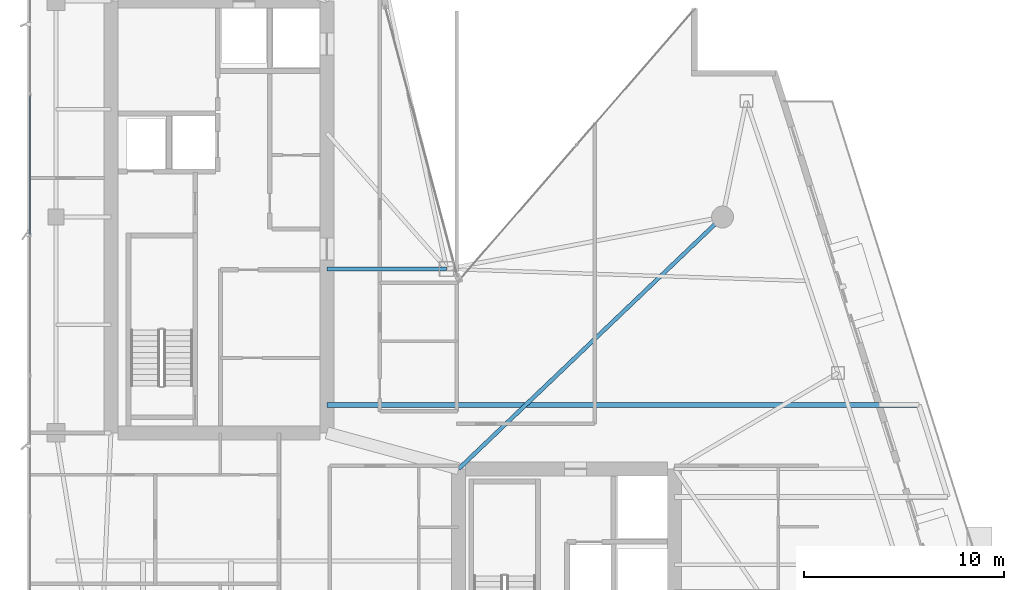
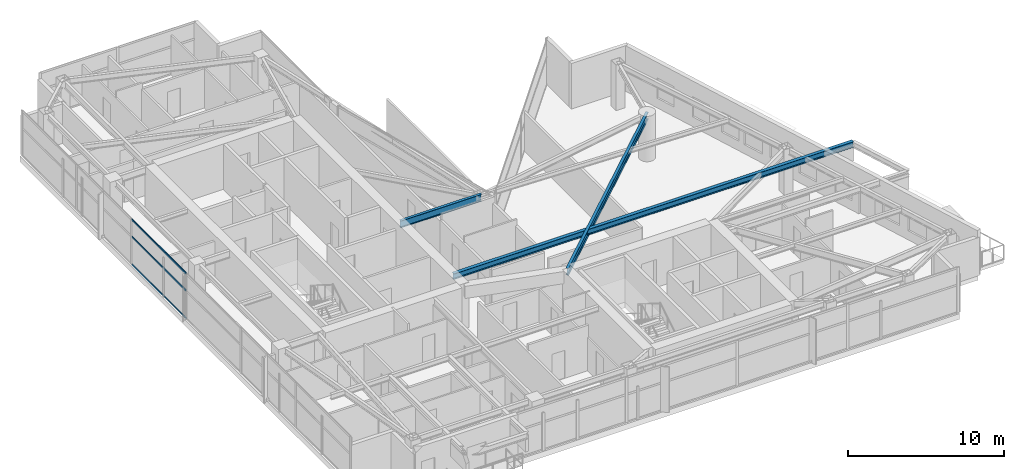
# One storey, part 9 of 28: 3 beams, 3 members, 1 element without a shape of its own.
"""IFC4 building model written with IfcOpenShell, lengths in metres."""

from ifc_helpers import new_model, si_unit, direction, frame, origin, origin_2d, place, context, subcontext, project, spatial, hollow_rectangle, i_section, extrude, material, layer, layer_set, material_profile, profile_set, type_object, element, aggregate, save


model = new_model("IFC4")

# Units and contexts
model_context = context("Model", 3, precision=1e-05, world=origin(), true_north=direction((0.0, 1.0)))
body_context = subcontext(model_context, "Body", "Model", "MODEL_VIEW")
ifc_project = project(units=[si_unit("LENGTHUNIT", "METRE"), si_unit("AREAUNIT", "SQUARE_METRE"), si_unit("VOLUMEUNIT", "CUBIC_METRE"), si_unit("PLANEANGLEUNIT", "RADIAN"), si_unit("MASSUNIT", "GRAM", prefix="KILO")], contexts=[model_context])

# Site, building, storey
site_placement = place(None, origin())
site = spatial("IfcSite", under=ifc_project, at=site_placement, CompositionType="ELEMENT")
building_placement = place(site_placement, origin())
building = spatial("IfcBuilding", under=site, at=building_placement, Name="Calvorn Quay Hotel", CompositionType="ELEMENT")
storey_placement = place(building_placement, frame((0.0, 0.0, 243.800048828125)))
storey = spatial("IfcBuildingStorey", under=building, at=storey_placement, Name="L60", CompositionType="ELEMENT", Elevation=243.800048828125)

# Beams
ifc_material_1 = material(Name="Steel Q355B", Category="steel")
ifc_material_profile_1 = material_profile(ifc_material_1, i_section(OverallWidth=0.25, OverallDepth=0.449951171875, WebThickness=0.011962890625, FlangeThickness=0.01611328125, FilletRadius=0.01611328125, at=origin_2d()), Name="HN450x250x12x16")
ifc_profile_set_1 = profile_set([ifc_material_profile_1], Name="Steel Q355B")
beam_type_1 = type_object("IfcBeamType", Name="BM-CANT-BALC", PredefinedType="BEAM", material=ifc_profile_set_1)
beam_1_placement = place(storey_placement, frame((15.0, 18.199951171875, 3.31494140625), z_axis=(1.0, 0.0, 0.0), x_axis=(0.0, 1.0, 0.0)))
element("IfcBeam", 1, at=beam_1_placement, inside=storey, type_object=beam_type_1, Name="Cantilever Balcony Beam BCB-L61-1B", PredefinedType="BEAM", context=body_context, shape_type="SweptSolid", body=[
    extrude(i_section(OverallWidth=0.25, OverallDepth=0.449951171875, WebThickness=0.011962890625, FlangeThickness=0.01611328125, FilletRadius=0.01611328125, at=origin_2d()), origin(), (0.0, 0.0, 1.0), 29.6201171875),
])
ifc_material_2 = material(Name="Steel Q355B", Category="steel")
ifc_material_profile_2 = material_profile(ifc_material_2, i_section(OverallWidth=0.199951171875, OverallDepth=0.550048828125, WebThickness=0.010009765625, FlangeThickness=0.01611328125, FilletRadius=0.01806640625, at=origin_2d()), Name="HN550x200x10x16")
ifc_profile_set_2 = profile_set([ifc_material_profile_2], Name="Steel Q355B")
beam_type_2 = type_object("IfcBeamType", Name="BM-GIRD-UPP", PredefinedType="BEAM", material=ifc_profile_set_2)
beam_2_placement = place(storey_placement, frame((21.0, 25.0, 3.264892578125), z_axis=(-1.0, 0.0, 0.0), x_axis=(0.0, -1.0, 0.0)))
element("IfcBeam", 2, at=beam_2_placement, inside=storey, type_object=beam_type_2, Name="Beam BG-L60-W7", PredefinedType="BEAM", context=body_context, shape_type="SweptSolid", body=[
    extrude(i_section(OverallWidth=0.199951171875, OverallDepth=0.550048828125, WebThickness=0.010009765625, FlangeThickness=0.01611328125, FilletRadius=0.01806640625, at=origin_2d()), origin(), (0.0, 0.0, 1.0), 6.0),
])
beam_3_placement = place(storey_placement, frame((21.60009765625, 15.0, 3.264892578125), z_axis=(0.723351595578, 0.690479883252, 0.0), x_axis=(-0.690479883252, 0.723351595578, 0.0)))
element("IfcBeam", 3, at=beam_3_placement, inside=storey, type_object=beam_type_2, Name="Beam BG-L60-E4", PredefinedType="BEAM", context=body_context, shape_type="SweptSolid", body=[
    extrude(i_section(OverallWidth=0.199951171875, OverallDepth=0.550048828125, WebThickness=0.010009765625, FlangeThickness=0.01611328125, FilletRadius=0.01806640625, at=origin_2d()), origin(), (0.0, 0.0, 1.0), 18.248291015625),
])

# Curtain wall, members
ifc_material_3 = material(Name="Champagne Bronze Anodised Aluminium and Low-E Glass", Category="aluminium")
ifc_layer = layer(ifc_material_3, 0.219970703125)
ifc_layer_set = layer_set([ifc_layer], Name="CW-SYS-Z3")
curtain_wall_type = type_object("IfcCurtainWallType", Name="CW-SYS-Z3", PredefinedType="NOTDEFINED", material=ifc_layer_set)
curtain_wall_placement = place(storey_placement, origin())
curtain_wall = element("IfcCurtainWall", 4, at=curtain_wall_placement, inside=storey, type_object=curtain_wall_type, Name="Tower West Curtain Wall (L60)", PredefinedType="NOTDEFINED")
ifc_material_4 = material(Name="Champagne Bronze Anodised Aluminium 6063-T6", Category="aluminium")
ifc_material_profile_3 = material_profile(ifc_material_4, hollow_rectangle(XDim=0.05810546875, YDim=0.139892578125, WallThickness=0.003173828125, at=origin_2d()), Name="ALU-T140x58x3.2")
ifc_profile_set_3 = profile_set([ifc_material_profile_3], Name="Champagne Bronze Anodised Aluminium 6063-T6")
member_type = type_object("IfcMemberType", Name="CW-SYS-Z3-TRN", PredefinedType="USERDEFINED", material=ifc_profile_set_3)
member_1_placement = place(storey_placement, frame((0.14990234375, 26.72998046875, 0.030029296875), z_axis=(0.0, 1.0, 0.0), x_axis=(-1.0, 0.0, 0.0)))
member_1 = element("IfcMember", 5, at=member_1_placement, type_object=member_type, Name="CW-L60-W transom 4.1", ObjectType="TRANSOM", PredefinedType="USERDEFINED", context=body_context, shape_type="SweptSolid", body=[
    extrude(hollow_rectangle(XDim=0.05810546875, YDim=0.139892578125, WallThickness=0.003173828125, at=origin_2d()), origin(), (0.0, 0.0, 1.0), 6.973388671875),
])
member_2_placement = place(storey_placement, frame((0.14990234375, 26.72998046875, 2.199951171875), z_axis=(0.0, 1.0, 0.0), x_axis=(-1.0, 0.0, 0.0)))
member_2 = element("IfcMember", 6, at=member_2_placement, type_object=member_type, Name="CW-L60-W transom 4.2", ObjectType="TRANSOM", PredefinedType="USERDEFINED", context=body_context, shape_type="SweptSolid", body=[
    extrude(hollow_rectangle(XDim=0.05810546875, YDim=0.139892578125, WallThickness=0.003173828125, at=origin_2d()), origin(), (0.0, 0.0, 1.0), 6.973388671875),
])
member_3_placement = place(storey_placement, frame((0.14990234375, 26.72998046875, 3.530029296875), z_axis=(0.0, 1.0, 0.0), x_axis=(-1.0, 0.0, 0.0)))
member_3 = element("IfcMember", 7, at=member_3_placement, type_object=member_type, Name="CW-L60-W transom 4.3", ObjectType="TRANSOM", PredefinedType="USERDEFINED", context=body_context, shape_type="SweptSolid", body=[
    extrude(hollow_rectangle(XDim=0.05810546875, YDim=0.139892578125, WallThickness=0.003173828125, at=origin_2d()), origin(), (0.0, 0.0, 1.0), 6.973388671875),
])
aggregate(curtain_wall, [member_1, member_2, member_3])

save(model, "model.ifc")
